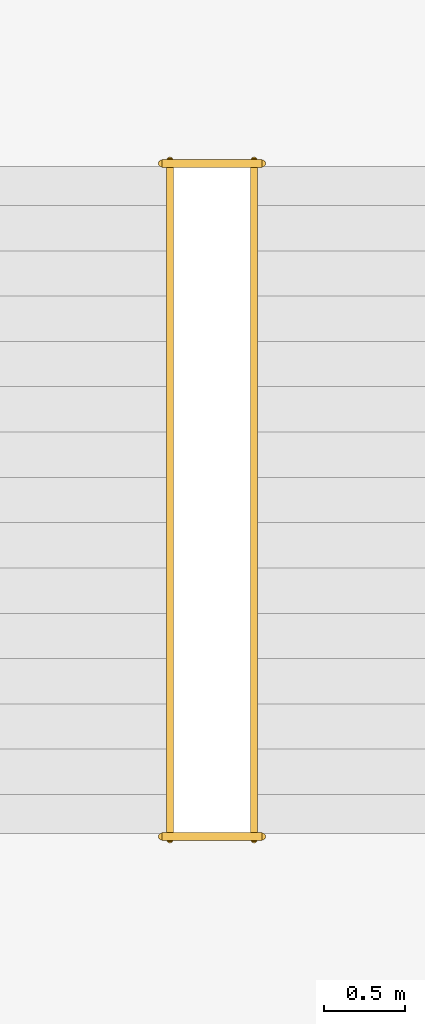
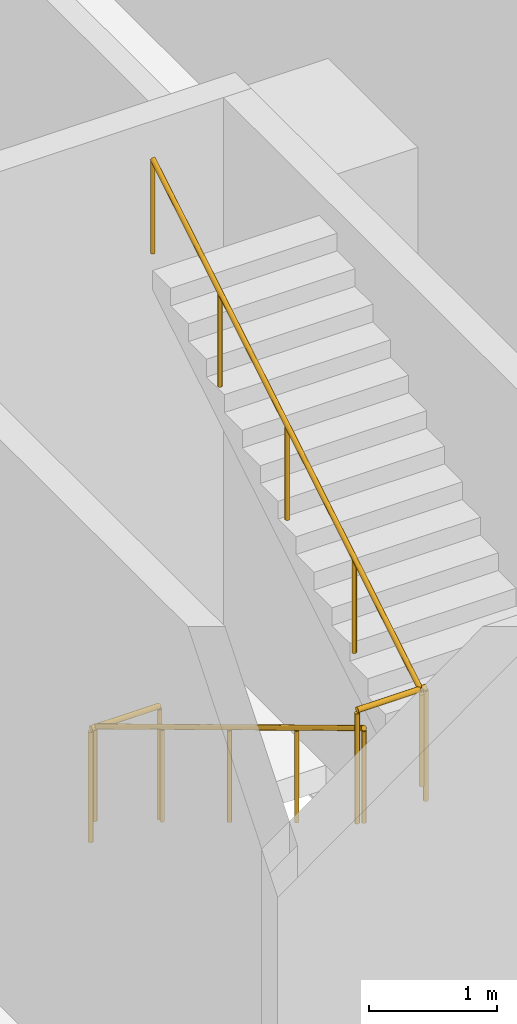
# One storey, part 13 of 13: 4 railings.
"""IFC4 building model written with IfcOpenShell, lengths in metres."""

from ifc_helpers import new_model, si_unit, direction, frame, origin, origin_2d, place, context, subcontext, project, spatial, circle, extrude, material, type_object, element, save


model = new_model("IFC4")

# Units and contexts
model_context = context("Model", 3, precision=1e-05, world=origin(), true_north=direction((0.0, 1.0)))
body_context = subcontext(model_context, "Body", "Model", "MODEL_VIEW")
ifc_project = project(units=[si_unit("LENGTHUNIT", "METRE"), si_unit("AREAUNIT", "SQUARE_METRE"), si_unit("VOLUMEUNIT", "CUBIC_METRE"), si_unit("PLANEANGLEUNIT", "RADIAN"), si_unit("MASSUNIT", "GRAM", prefix="KILO")], contexts=[model_context])

# Site, building, storey
site_placement = place(None, origin())
site = spatial("IfcSite", under=ifc_project, at=site_placement, CompositionType="ELEMENT")
building_placement = place(site_placement, origin())
building = spatial("IfcBuilding", under=site, at=building_placement, Name="Mawjdan Bourse Tower", CompositionType="ELEMENT")
storey_placement = place(building_placement, frame((0.0, 0.0, 10.800048828125)))
storey = spatial("IfcBuildingStorey", under=building, at=storey_placement, Name="L02", CompositionType="ELEMENT", Elevation=10.800048828125)

# Railings
ifc_material_1 = material(Name="Structural Steel S355", Category="steel")
railing_type_1 = type_object("IfcRailingType", Name="RLG-GRD-1100", PredefinedType="GUARDRAIL", material=ifc_material_1)
for number, where, name in (
    (1, (65.68994140625, 6.169921875, 2.699951171875), "L02 ST6 Landing Guardrail GL-MID"),
    (2, (65.68994140625, 10.330078125, 0.0), "L02 ST6 Landing Guardrail GL-BOT"),
):
    element("IfcRailing", number, at=place(storey_placement, frame(where)), inside=storey, type_object=railing_type_1, Name=name, PredefinedType="GUARDRAIL", context=body_context, shape_type="SweptSolid", body=[
        extrude(circle(Radius=0.02490234375, at=origin_2d()), frame((0.0, 0.0, 1.0751953125), z_axis=(1.0, 0.0, 0.0), x_axis=(0.0, 1.0, 0.0)), (0.0, 0.0, 1.0), 0.6201171875),
        extrude(circle(Radius=0.02099609375, at=origin_2d()), origin(), (0.0, 0.0, 1.0), 1.050048828125),
        extrude(circle(Radius=0.02099609375, at=origin_2d()), frame((0.6201171875, 0.0, 0.0)), (0.0, 0.0, 1.0), 1.050048828125),
    ])
ifc_material_2 = material(Name="Brushed Stainless Steel", Category="steel")
railing_type_2 = type_object("IfcRailingType", Name="RLG-HND-920", PredefinedType="HANDRAIL", material=ifc_material_2)
railing_1_placement = place(storey_placement, frame((65.739990234375, 10.35009765625, 0.168701171875)))
element("IfcRailing", 3, at=railing_1_placement, inside=storey, type_object=railing_type_2, Name="L02 ST6 Flight Handrail HR1", PredefinedType="HANDRAIL", context=body_context, shape_type="SweptSolid", body=[
    extrude(circle(Radius=0.0224609375, at=origin_2d()), frame((0.0, 0.0, 0.8974609375), z_axis=(0.0, -0.856489757249, 0.516164020179), x_axis=(1.0, 0.0, 0.0)), (0.0, 0.0, 1.0), 4.904052734375),
    extrude(circle(Radius=0.01904296875, at=origin_2d()), origin(), (0.0, 0.0, 1.0), 0.875),
    extrude(circle(Radius=0.01904296875, at=origin_2d()), frame((0.0, -1.050048828125, 0.6328125)), (0.0, 0.0, 1.0), 0.875),
    extrude(circle(Radius=0.01904296875, at=origin_2d()), frame((0.0, -2.10009765625, 1.265625)), (0.0, 0.0, 1.0), 0.875),
    extrude(circle(Radius=0.01904296875, at=origin_2d()), frame((0.0, -3.150146484375, 1.8984375)), (0.0, 0.0, 1.0), 0.875),
    extrude(circle(Radius=0.01904296875, at=origin_2d()), frame((0.0, -4.2001953125, 2.53125)), (0.0, 0.0, 1.0), 0.875),
])
railing_2_placement = place(storey_placement, frame((66.260009765625, 6.14990234375, 2.86865234375)))
element("IfcRailing", 4, at=railing_2_placement, inside=storey, type_object=railing_type_2, Name="L02 ST6 Flight Handrail HR2", PredefinedType="HANDRAIL", context=body_context, shape_type="SweptSolid", body=[
    extrude(circle(Radius=0.0224609375, at=origin_2d()), frame((0.0, 0.0, 0.8974609375), z_axis=(0.0, 0.856489757249, 0.516164020179), x_axis=(-1.0, 0.0, 0.0)), (0.0, 0.0, 1.0), 4.904052734375),
    extrude(circle(Radius=0.01904296875, at=origin_2d()), origin(), (0.0, 0.0, 1.0), 0.875),
    extrude(circle(Radius=0.01904296875, at=origin_2d()), frame((0.0, 1.050048828125, 0.6328125)), (0.0, 0.0, 1.0), 0.875),
    extrude(circle(Radius=0.01904296875, at=origin_2d()), frame((0.0, 2.10009765625, 1.265625)), (0.0, 0.0, 1.0), 0.875),
    extrude(circle(Radius=0.01904296875, at=origin_2d()), frame((0.0, 3.150146484375, 1.8984375)), (0.0, 0.0, 1.0), 0.875),
    extrude(circle(Radius=0.01904296875, at=origin_2d()), frame((0.0, 4.2001953125, 2.53125)), (0.0, 0.0, 1.0), 0.875),
])

save(model, "model.ifc")
